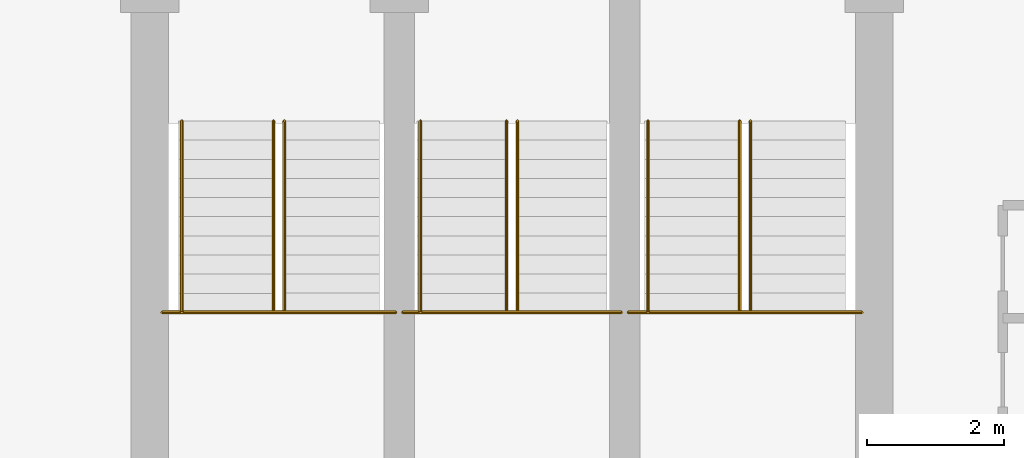
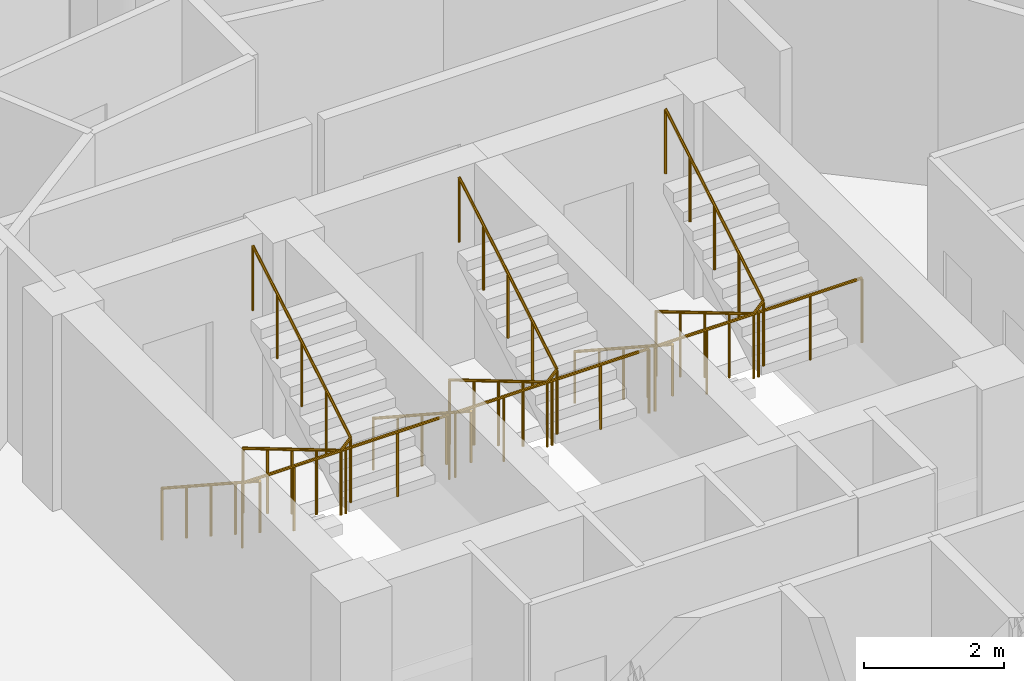
# One storey, part 27 of 27: 9 railings.
"""IFC4 building model written with IfcOpenShell, lengths in metres."""

from ifc_helpers import new_model, si_unit, direction, frame, origin, place, context, subcontext, project, spatial, polyline, outline, extrude, material, type_object, element, save


model = new_model("IFC4")

# Units and contexts
model_context = context("Model", 3, precision=1e-05, world=origin(), true_north=direction((0.0, 1.0)))
body_context = subcontext(model_context, "Body", "Model", "MODEL_VIEW")
ifc_project = project(units=[si_unit("LENGTHUNIT", "METRE"), si_unit("AREAUNIT", "SQUARE_METRE"), si_unit("VOLUMEUNIT", "CUBIC_METRE"), si_unit("PLANEANGLEUNIT", "RADIAN"), si_unit("MASSUNIT", "GRAM", prefix="KILO")], contexts=[model_context])

# Site, building, storey
site_placement = place(None, origin())
site = spatial("IfcSite", under=ifc_project, at=site_placement, CompositionType="ELEMENT")
building_placement = place(site_placement, origin())
building = spatial("IfcBuilding", under=site, at=building_placement, Name="Nuhasar Tower", CompositionType="ELEMENT")
storey_placement = place(building_placement, frame((0.0, 0.0, 233.699951171875)))
storey = spatial("IfcBuildingStorey", under=building, at=storey_placement, Name="L57", CompositionType="ELEMENT", Elevation=233.699951171875)

# Railings
ifc_material_1 = material(Name="Steel S355", Category="steel")
railing_type_1 = type_object("IfcRailingType", Name="RLG-STAIR-GUARD-1150", PredefinedType="GUARDRAIL", material=ifc_material_1)
railing_1_placement = place(storey_placement, frame((33.8798828125, 32.485107421875, 1.824951171875)))
element("IfcRailing", 1, at=railing_1_placement, inside=storey, type_object=railing_type_1, Name="L57 Stair ST-01 Guardrail LND", PredefinedType="GUARDRAIL", context=body_context, shape_type="SweptSolid", body=[
    extrude(outline(polyline([(0.024169921875, 0.0), (0.01708984375, 0.01708984375), (0.0, 0.024169921875), (-0.01708984375, 0.01708984375), (-0.024169921875, 0.0), (-0.01708984375, -0.01708984375), (0.0, -0.024169921875), (0.01708984375, -0.01708984375), (0.024169921875, 0.0)])), frame((0.0, 0.0, 1.1259765625), z_axis=(1.0, 0.0, 0.0), x_axis=(0.0, 1.0, 0.0)), (0.0, 0.0, 1.0), 3.420166015625),
    extrude(outline(polyline([(0.02099609375, 0.0), (0.014892578125, 0.014892578125), (0.0, 0.02099609375), (-0.014892578125, 0.014892578125), (-0.02099609375, 0.0), (-0.014892578125, -0.014892578125), (0.0, -0.02099609375), (0.014892578125, -0.014892578125), (0.02099609375, 0.0)])), origin(), (0.0, 0.0, 1.0), 1.101806640625),
    extrude(outline(polyline([(0.02099609375, 0.0), (0.014892578125, 0.014892578125), (0.0, 0.02099609375), (-0.014892578125, 0.014892578125), (-0.02099609375, 0.0), (-0.014892578125, -0.014892578125), (0.0, -0.02099609375), (0.014892578125, -0.014892578125), (0.02099609375, 0.0)])), frame((0.85498046875, 0.0, 0.0)), (0.0, 0.0, 1.0), 1.101806640625),
    extrude(outline(polyline([(0.02099609375, 0.0), (0.014892578125, 0.014892578125), (0.0, 0.02099609375), (-0.014892578125, 0.014892578125), (-0.02099609375, 0.0), (-0.014892578125, -0.014892578125), (0.0, -0.02099609375), (0.014892578125, -0.014892578125), (0.02099609375, 0.0)])), frame((1.7099609375, 0.0, 0.0)), (0.0, 0.0, 1.0), 1.101806640625),
    extrude(outline(polyline([(0.02099609375, 0.0), (0.014892578125, 0.014892578125), (0.0, 0.02099609375), (-0.014892578125, 0.014892578125), (-0.02099609375, 0.0), (-0.014892578125, -0.014892578125), (0.0, -0.02099609375), (0.014892578125, -0.014892578125), (0.02099609375, 0.0)])), frame((2.565185546875, 0.0, 0.0)), (0.0, 0.0, 1.0), 1.101806640625),
    extrude(outline(polyline([(0.02099609375, 0.0), (0.014892578125, 0.014892578125), (0.0, 0.02099609375), (-0.014892578125, 0.014892578125), (-0.02099609375, 0.0), (-0.014892578125, -0.014892578125), (0.0, -0.02099609375), (0.014892578125, -0.014892578125), (0.02099609375, 0.0)])), frame((3.420166015625, 0.0, 0.0)), (0.0, 0.0, 1.0), 1.101806640625),
])
railing_2_placement = place(storey_placement, frame((35.510009765625, 35.284912109375, 0.166015625)))
element("IfcRailing", 2, at=railing_2_placement, inside=storey, type_object=railing_type_1, Name="L57 Stair ST-01 Guardrail SLT", PredefinedType="GUARDRAIL", context=body_context, shape_type="SweptSolid", body=[
    extrude(outline(polyline([(0.024169921875, 0.0), (0.01708984375, 0.01708984375), (0.0, 0.024169921875), (-0.01708984375, 0.01708984375), (-0.024169921875, 0.0), (-0.01708984375, -0.01708984375), (0.0, -0.024169921875), (0.01708984375, -0.01708984375), (0.024169921875, 0.0)])), frame((0.0, 0.0, 1.1259765625), z_axis=(0.0, -0.860319559791, 0.509755093197), x_axis=(1.0, 0.0, 0.0)), (0.0, 0.0, 1.0), 3.25439453125),
    extrude(outline(polyline([(0.024169921875, 0.0), (0.01708984375, 0.01708984375), (0.0, 0.024169921875), (-0.01708984375, 0.01708984375), (-0.024169921875, 0.0), (-0.01708984375, -0.01708984375), (0.0, -0.024169921875), (0.01708984375, -0.01708984375), (0.024169921875, 0.0)])), frame((0.0, -2.7998046875, 2.78466796875), z_axis=(0.693743449033, 0.0, 0.72022220663), x_axis=(0.0, 1.0, 0.0)), (0.0, 0.0, 1.0), 0.23046875),
    extrude(outline(polyline([(0.024169921875, 0.0), (0.01708984375, 0.01708984375), (0.0, 0.024169921875), (-0.01708984375, 0.01708984375), (-0.024169921875, 0.0), (-0.01708984375, -0.01708984375), (0.0, -0.024169921875), (0.01708984375, -0.01708984375), (0.024169921875, 0.0)])), frame((0.159912109375, -2.7998046875, 2.95068359375), z_axis=(0.0, 0.860286659441, 0.509810615413), x_axis=(-1.0, 0.0, 0.0)), (0.0, 0.0, 1.0), 3.25439453125),
    extrude(outline(polyline([(0.02099609375, 0.0), (0.014892578125, 0.014892578125), (0.0, 0.02099609375), (-0.014892578125, 0.014892578125), (-0.02099609375, 0.0), (-0.014892578125, -0.014892578125), (0.0, -0.02099609375), (0.014892578125, -0.014892578125), (0.02099609375, 0.0)])), origin(), (0.0, 0.0, 1.0), 1.101806640625),
    extrude(outline(polyline([(0.02099609375, 0.0), (0.014892578125, 0.014892578125), (0.0, 0.02099609375), (-0.014892578125, 0.014892578125), (-0.02099609375, 0.0), (-0.014892578125, -0.014892578125), (0.0, -0.02099609375), (0.014892578125, -0.014892578125), (0.02099609375, 0.0)])), frame((0.0, -0.699951171875, 0.414794921875)), (0.0, 0.0, 1.0), 1.101806640625),
    extrude(outline(polyline([(0.02099609375, 0.0), (0.014892578125, 0.014892578125), (0.0, 0.02099609375), (-0.014892578125, 0.014892578125), (-0.02099609375, 0.0), (-0.014892578125, -0.014892578125), (0.0, -0.02099609375), (0.014892578125, -0.014892578125), (0.02099609375, 0.0)])), frame((0.0, -1.39990234375, 0.82958984375)), (0.0, 0.0, 1.0), 1.101806640625),
    extrude(outline(polyline([(0.02099609375, 0.0), (0.014892578125, 0.014892578125), (0.0, 0.02099609375), (-0.014892578125, 0.014892578125), (-0.02099609375, 0.0), (-0.014892578125, -0.014892578125), (0.0, -0.02099609375), (0.014892578125, -0.014892578125), (0.02099609375, 0.0)])), frame((0.0, -2.099853515625, 1.244140625)), (0.0, 0.0, 1.0), 1.101806640625),
    extrude(outline(polyline([(0.02099609375, 0.0), (0.014892578125, 0.014892578125), (0.0, 0.02099609375), (-0.014892578125, 0.014892578125), (-0.02099609375, 0.0), (-0.014892578125, -0.014892578125), (0.0, -0.02099609375), (0.014892578125, -0.014892578125), (0.02099609375, 0.0)])), frame((0.0, -2.7998046875, 1.658935546875)), (0.0, 0.0, 1.0), 1.101806640625),
    extrude(outline(polyline([(0.02099609375, 0.0), (0.014892578125, 0.014892578125), (0.0, 0.02099609375), (-0.014892578125, 0.014892578125), (-0.02099609375, 0.0), (-0.014892578125, -0.014892578125), (0.0, -0.02099609375), (0.014892578125, -0.014892578125), (0.02099609375, 0.0)])), frame((0.159912109375, -2.7998046875, 1.824951171875)), (0.0, 0.0, 1.0), 1.101806640625),
    extrude(outline(polyline([(0.02099609375, 0.0), (0.014892578125, 0.014892578125), (0.0, 0.02099609375), (-0.014892578125, 0.014892578125), (-0.02099609375, 0.0), (-0.014892578125, -0.014892578125), (0.0, -0.02099609375), (0.014892578125, -0.014892578125), (0.02099609375, 0.0)])), frame((0.159912109375, -2.099853515625, 2.23974609375)), (0.0, 0.0, 1.0), 1.101806640625),
    extrude(outline(polyline([(0.02099609375, 0.0), (0.014892578125, 0.014892578125), (0.0, 0.02099609375), (-0.014892578125, 0.014892578125), (-0.02099609375, 0.0), (-0.014892578125, -0.014892578125), (0.0, -0.02099609375), (0.014892578125, -0.014892578125), (0.02099609375, 0.0)])), frame((0.159912109375, -1.39990234375, 2.654541015625)), (0.0, 0.0, 1.0), 1.101806640625),
    extrude(outline(polyline([(0.02099609375, 0.0), (0.014892578125, 0.014892578125), (0.0, 0.02099609375), (-0.014892578125, 0.014892578125), (-0.02099609375, 0.0), (-0.014892578125, -0.014892578125), (0.0, -0.02099609375), (0.014892578125, -0.014892578125), (0.02099609375, 0.0)])), frame((0.159912109375, -0.699951171875, 3.0693359375)), (0.0, 0.0, 1.0), 1.101806640625),
    extrude(outline(polyline([(0.02099609375, 0.0), (0.014892578125, 0.014892578125), (0.0, 0.02099609375), (-0.014892578125, 0.014892578125), (-0.02099609375, 0.0), (-0.014892578125, -0.014892578125), (0.0, -0.02099609375), (0.014892578125, -0.014892578125), (0.02099609375, 0.0)])), frame((0.159912109375, 0.0, 3.484130859375)), (0.0, 0.0, 1.0), 1.101806640625),
])
railing_3_placement = place(storey_placement, frame((37.39990234375, 32.485107421875, 1.824951171875)))
element("IfcRailing", 3, at=railing_3_placement, inside=storey, type_object=railing_type_1, Name="L57 Stair ST-03 Guardrail LND", PredefinedType="GUARDRAIL", context=body_context, shape_type="SweptSolid", body=[
    extrude(outline(polyline([(0.024169921875, 0.0), (0.01708984375, 0.01708984375), (0.0, 0.024169921875), (-0.01708984375, 0.01708984375), (-0.024169921875, 0.0), (-0.01708984375, -0.01708984375), (0.0, -0.024169921875), (0.01708984375, -0.01708984375), (0.024169921875, 0.0)])), frame((0.0, 0.0, 1.1259765625), z_axis=(1.0, 0.0, 0.0), x_axis=(0.0, 1.0, 0.0)), (0.0, 0.0, 1.0), 3.2001953125),
    extrude(outline(polyline([(0.02099609375, 0.0), (0.014892578125, 0.014892578125), (0.0, 0.02099609375), (-0.014892578125, 0.014892578125), (-0.02099609375, 0.0), (-0.014892578125, -0.014892578125), (0.0, -0.02099609375), (0.014892578125, -0.014892578125), (0.02099609375, 0.0)])), origin(), (0.0, 0.0, 1.0), 1.101806640625),
    extrude(outline(polyline([(0.02099609375, 0.0), (0.014892578125, 0.014892578125), (0.0, 0.02099609375), (-0.014892578125, 0.014892578125), (-0.02099609375, 0.0), (-0.014892578125, -0.014892578125), (0.0, -0.02099609375), (0.014892578125, -0.014892578125), (0.02099609375, 0.0)])), frame((0.800048828125, 0.0, 0.0)), (0.0, 0.0, 1.0), 1.101806640625),
    extrude(outline(polyline([(0.02099609375, 0.0), (0.014892578125, 0.014892578125), (0.0, 0.02099609375), (-0.014892578125, 0.014892578125), (-0.02099609375, 0.0), (-0.014892578125, -0.014892578125), (0.0, -0.02099609375), (0.014892578125, -0.014892578125), (0.02099609375, 0.0)])), frame((1.60009765625, 0.0, 0.0)), (0.0, 0.0, 1.0), 1.101806640625),
    extrude(outline(polyline([(0.02099609375, 0.0), (0.014892578125, 0.014892578125), (0.0, 0.02099609375), (-0.014892578125, 0.014892578125), (-0.02099609375, 0.0), (-0.014892578125, -0.014892578125), (0.0, -0.02099609375), (0.014892578125, -0.014892578125), (0.02099609375, 0.0)])), frame((2.400146484375, 0.0, 0.0)), (0.0, 0.0, 1.0), 1.101806640625),
    extrude(outline(polyline([(0.02099609375, 0.0), (0.014892578125, 0.014892578125), (0.0, 0.02099609375), (-0.014892578125, 0.014892578125), (-0.02099609375, 0.0), (-0.014892578125, -0.014892578125), (0.0, -0.02099609375), (0.014892578125, -0.014892578125), (0.02099609375, 0.0)])), frame((3.2001953125, 0.0, 0.0)), (0.0, 0.0, 1.0), 1.101806640625),
])
railing_4_placement = place(storey_placement, frame((38.919921875, 35.284912109375, 0.166015625)))
element("IfcRailing", 4, at=railing_4_placement, inside=storey, type_object=railing_type_1, Name="L57 Stair ST-03 Guardrail SLT", PredefinedType="GUARDRAIL", context=body_context, shape_type="SweptSolid", body=[
    extrude(outline(polyline([(0.024169921875, 0.0), (0.01708984375, 0.01708984375), (0.0, 0.024169921875), (-0.01708984375, 0.01708984375), (-0.024169921875, 0.0), (-0.01708984375, -0.01708984375), (0.0, -0.024169921875), (0.01708984375, -0.01708984375), (0.024169921875, 0.0)])), frame((0.0, 0.0, 1.1259765625), z_axis=(0.0, -0.860319559791, 0.509755093197), x_axis=(1.0, 0.0, 0.0)), (0.0, 0.0, 1.0), 3.25439453125),
    extrude(outline(polyline([(0.024169921875, 0.0), (0.01708984375, 0.01708984375), (0.0, 0.024169921875), (-0.01708984375, 0.01708984375), (-0.024169921875, 0.0), (-0.01708984375, -0.01708984375), (0.0, -0.024169921875), (0.01708984375, -0.01708984375), (0.024169921875, 0.0)])), frame((0.0, -2.7998046875, 2.78466796875), z_axis=(0.694292246407, 0.0, 0.719693182251), x_axis=(0.0, 1.0, 0.0)), (0.0, 0.0, 1.0), 0.230712890625),
    extrude(outline(polyline([(0.024169921875, 0.0), (0.01708984375, 0.01708984375), (0.0, 0.024169921875), (-0.01708984375, 0.01708984375), (-0.024169921875, 0.0), (-0.01708984375, -0.01708984375), (0.0, -0.024169921875), (0.01708984375, -0.01708984375), (0.024169921875, 0.0)])), frame((0.16015625, -2.7998046875, 2.95068359375), z_axis=(0.0, 0.860286659441, 0.509810615413), x_axis=(-1.0, 0.0, 0.0)), (0.0, 0.0, 1.0), 3.25439453125),
    extrude(outline(polyline([(0.02099609375, 0.0), (0.014892578125, 0.014892578125), (0.0, 0.02099609375), (-0.014892578125, 0.014892578125), (-0.02099609375, 0.0), (-0.014892578125, -0.014892578125), (0.0, -0.02099609375), (0.014892578125, -0.014892578125), (0.02099609375, 0.0)])), origin(), (0.0, 0.0, 1.0), 1.101806640625),
    extrude(outline(polyline([(0.02099609375, 0.0), (0.014892578125, 0.014892578125), (0.0, 0.02099609375), (-0.014892578125, 0.014892578125), (-0.02099609375, 0.0), (-0.014892578125, -0.014892578125), (0.0, -0.02099609375), (0.014892578125, -0.014892578125), (0.02099609375, 0.0)])), frame((0.0, -0.699951171875, 0.414794921875)), (0.0, 0.0, 1.0), 1.101806640625),
    extrude(outline(polyline([(0.02099609375, 0.0), (0.014892578125, 0.014892578125), (0.0, 0.02099609375), (-0.014892578125, 0.014892578125), (-0.02099609375, 0.0), (-0.014892578125, -0.014892578125), (0.0, -0.02099609375), (0.014892578125, -0.014892578125), (0.02099609375, 0.0)])), frame((0.0, -1.39990234375, 0.82958984375)), (0.0, 0.0, 1.0), 1.101806640625),
    extrude(outline(polyline([(0.02099609375, 0.0), (0.014892578125, 0.014892578125), (0.0, 0.02099609375), (-0.014892578125, 0.014892578125), (-0.02099609375, 0.0), (-0.014892578125, -0.014892578125), (0.0, -0.02099609375), (0.014892578125, -0.014892578125), (0.02099609375, 0.0)])), frame((0.0, -2.099853515625, 1.244140625)), (0.0, 0.0, 1.0), 1.101806640625),
    extrude(outline(polyline([(0.02099609375, 0.0), (0.014892578125, 0.014892578125), (0.0, 0.02099609375), (-0.014892578125, 0.014892578125), (-0.02099609375, 0.0), (-0.014892578125, -0.014892578125), (0.0, -0.02099609375), (0.014892578125, -0.014892578125), (0.02099609375, 0.0)])), frame((0.0, -2.7998046875, 1.658935546875)), (0.0, 0.0, 1.0), 1.101806640625),
    extrude(outline(polyline([(0.02099609375, 0.0), (0.014892578125, 0.014892578125), (0.0, 0.02099609375), (-0.014892578125, 0.014892578125), (-0.02099609375, 0.0), (-0.014892578125, -0.014892578125), (0.0, -0.02099609375), (0.014892578125, -0.014892578125), (0.02099609375, 0.0)])), frame((0.16015625, -2.7998046875, 1.824951171875)), (0.0, 0.0, 1.0), 1.101806640625),
    extrude(outline(polyline([(0.02099609375, 0.0), (0.014892578125, 0.014892578125), (0.0, 0.02099609375), (-0.014892578125, 0.014892578125), (-0.02099609375, 0.0), (-0.014892578125, -0.014892578125), (0.0, -0.02099609375), (0.014892578125, -0.014892578125), (0.02099609375, 0.0)])), frame((0.16015625, -2.099853515625, 2.23974609375)), (0.0, 0.0, 1.0), 1.101806640625),
    extrude(outline(polyline([(0.02099609375, 0.0), (0.014892578125, 0.014892578125), (0.0, 0.02099609375), (-0.014892578125, 0.014892578125), (-0.02099609375, 0.0), (-0.014892578125, -0.014892578125), (0.0, -0.02099609375), (0.014892578125, -0.014892578125), (0.02099609375, 0.0)])), frame((0.16015625, -1.39990234375, 2.654541015625)), (0.0, 0.0, 1.0), 1.101806640625),
    extrude(outline(polyline([(0.02099609375, 0.0), (0.014892578125, 0.014892578125), (0.0, 0.02099609375), (-0.014892578125, 0.014892578125), (-0.02099609375, 0.0), (-0.014892578125, -0.014892578125), (0.0, -0.02099609375), (0.014892578125, -0.014892578125), (0.02099609375, 0.0)])), frame((0.16015625, -0.699951171875, 3.0693359375)), (0.0, 0.0, 1.0), 1.101806640625),
    extrude(outline(polyline([(0.02099609375, 0.0), (0.014892578125, 0.014892578125), (0.0, 0.02099609375), (-0.014892578125, 0.014892578125), (-0.02099609375, 0.0), (-0.014892578125, -0.014892578125), (0.0, -0.02099609375), (0.014892578125, -0.014892578125), (0.02099609375, 0.0)])), frame((0.16015625, 0.0, 3.484130859375)), (0.0, 0.0, 1.0), 1.101806640625),
])
railing_5_placement = place(storey_placement, frame((40.699951171875, 32.485107421875, 1.824951171875)))
element("IfcRailing", 5, at=railing_5_placement, inside=storey, type_object=railing_type_1, Name="L57 Stair ST-02 Guardrail LND", PredefinedType="GUARDRAIL", context=body_context, shape_type="SweptSolid", body=[
    extrude(outline(polyline([(0.024169921875, 0.0), (0.01708984375, 0.01708984375), (0.0, 0.024169921875), (-0.01708984375, 0.01708984375), (-0.024169921875, 0.0), (-0.01708984375, -0.01708984375), (0.0, -0.024169921875), (0.01708984375, -0.01708984375), (0.024169921875, 0.0)])), frame((0.0, 0.0, 1.1259765625), z_axis=(1.0, 0.0, 0.0), x_axis=(0.0, 1.0, 0.0)), (0.0, 0.0, 1.0), 3.420166015625),
    extrude(outline(polyline([(0.02099609375, 0.0), (0.014892578125, 0.014892578125), (0.0, 0.02099609375), (-0.014892578125, 0.014892578125), (-0.02099609375, 0.0), (-0.014892578125, -0.014892578125), (0.0, -0.02099609375), (0.014892578125, -0.014892578125), (0.02099609375, 0.0)])), origin(), (0.0, 0.0, 1.0), 1.101806640625),
    extrude(outline(polyline([(0.02099609375, 0.0), (0.014892578125, 0.014892578125), (0.0, 0.02099609375), (-0.014892578125, 0.014892578125), (-0.02099609375, 0.0), (-0.014892578125, -0.014892578125), (0.0, -0.02099609375), (0.014892578125, -0.014892578125), (0.02099609375, 0.0)])), frame((0.85498046875, 0.0, 0.0)), (0.0, 0.0, 1.0), 1.101806640625),
    extrude(outline(polyline([(0.02099609375, 0.0), (0.014892578125, 0.014892578125), (0.0, 0.02099609375), (-0.014892578125, 0.014892578125), (-0.02099609375, 0.0), (-0.014892578125, -0.014892578125), (0.0, -0.02099609375), (0.014892578125, -0.014892578125), (0.02099609375, 0.0)])), frame((1.7099609375, 0.0, 0.0)), (0.0, 0.0, 1.0), 1.101806640625),
    extrude(outline(polyline([(0.02099609375, 0.0), (0.014892578125, 0.014892578125), (0.0, 0.02099609375), (-0.014892578125, 0.014892578125), (-0.02099609375, 0.0), (-0.014892578125, -0.014892578125), (0.0, -0.02099609375), (0.014892578125, -0.014892578125), (0.02099609375, 0.0)])), frame((2.565185546875, 0.0, 0.0)), (0.0, 0.0, 1.0), 1.101806640625),
    extrude(outline(polyline([(0.02099609375, 0.0), (0.014892578125, 0.014892578125), (0.0, 0.02099609375), (-0.014892578125, 0.014892578125), (-0.02099609375, 0.0), (-0.014892578125, -0.014892578125), (0.0, -0.02099609375), (0.014892578125, -0.014892578125), (0.02099609375, 0.0)])), frame((3.420166015625, 0.0, 0.0)), (0.0, 0.0, 1.0), 1.101806640625),
])
railing_6_placement = place(storey_placement, frame((42.330078125, 35.284912109375, 0.166015625)))
element("IfcRailing", 6, at=railing_6_placement, inside=storey, type_object=railing_type_1, Name="L57 Stair ST-02 Guardrail SLT", PredefinedType="GUARDRAIL", context=body_context, shape_type="SweptSolid", body=[
    extrude(outline(polyline([(0.024169921875, 0.0), (0.01708984375, 0.01708984375), (0.0, 0.024169921875), (-0.01708984375, 0.01708984375), (-0.024169921875, 0.0), (-0.01708984375, -0.01708984375), (0.0, -0.024169921875), (0.01708984375, -0.01708984375), (0.024169921875, 0.0)])), frame((0.0, 0.0, 1.1259765625), z_axis=(0.0, -0.860319559791, 0.509755093197), x_axis=(1.0, 0.0, 0.0)), (0.0, 0.0, 1.0), 3.25439453125),
    extrude(outline(polyline([(0.024169921875, 0.0), (0.01708984375, 0.01708984375), (0.0, 0.024169921875), (-0.01708984375, 0.01708984375), (-0.024169921875, 0.0), (-0.01708984375, -0.01708984375), (0.0, -0.024169921875), (0.01708984375, -0.01708984375), (0.024169921875, 0.0)])), frame((0.0, -2.7998046875, 2.78466796875), z_axis=(0.693743449033, 0.0, 0.72022220663), x_axis=(0.0, 1.0, 0.0)), (0.0, 0.0, 1.0), 0.23046875),
    extrude(outline(polyline([(0.024169921875, 0.0), (0.01708984375, 0.01708984375), (0.0, 0.024169921875), (-0.01708984375, 0.01708984375), (-0.024169921875, 0.0), (-0.01708984375, -0.01708984375), (0.0, -0.024169921875), (0.01708984375, -0.01708984375), (0.024169921875, 0.0)])), frame((0.159912109375, -2.7998046875, 2.95068359375), z_axis=(0.0, 0.860286659441, 0.509810615413), x_axis=(-1.0, 0.0, 0.0)), (0.0, 0.0, 1.0), 3.25439453125),
    extrude(outline(polyline([(0.02099609375, 0.0), (0.014892578125, 0.014892578125), (0.0, 0.02099609375), (-0.014892578125, 0.014892578125), (-0.02099609375, 0.0), (-0.014892578125, -0.014892578125), (0.0, -0.02099609375), (0.014892578125, -0.014892578125), (0.02099609375, 0.0)])), origin(), (0.0, 0.0, 1.0), 1.101806640625),
    extrude(outline(polyline([(0.02099609375, 0.0), (0.014892578125, 0.014892578125), (0.0, 0.02099609375), (-0.014892578125, 0.014892578125), (-0.02099609375, 0.0), (-0.014892578125, -0.014892578125), (0.0, -0.02099609375), (0.014892578125, -0.014892578125), (0.02099609375, 0.0)])), frame((0.0, -0.699951171875, 0.414794921875)), (0.0, 0.0, 1.0), 1.101806640625),
    extrude(outline(polyline([(0.02099609375, 0.0), (0.014892578125, 0.014892578125), (0.0, 0.02099609375), (-0.014892578125, 0.014892578125), (-0.02099609375, 0.0), (-0.014892578125, -0.014892578125), (0.0, -0.02099609375), (0.014892578125, -0.014892578125), (0.02099609375, 0.0)])), frame((0.0, -1.39990234375, 0.82958984375)), (0.0, 0.0, 1.0), 1.101806640625),
    extrude(outline(polyline([(0.02099609375, 0.0), (0.014892578125, 0.014892578125), (0.0, 0.02099609375), (-0.014892578125, 0.014892578125), (-0.02099609375, 0.0), (-0.014892578125, -0.014892578125), (0.0, -0.02099609375), (0.014892578125, -0.014892578125), (0.02099609375, 0.0)])), frame((0.0, -2.099853515625, 1.244140625)), (0.0, 0.0, 1.0), 1.101806640625),
    extrude(outline(polyline([(0.02099609375, 0.0), (0.014892578125, 0.014892578125), (0.0, 0.02099609375), (-0.014892578125, 0.014892578125), (-0.02099609375, 0.0), (-0.014892578125, -0.014892578125), (0.0, -0.02099609375), (0.014892578125, -0.014892578125), (0.02099609375, 0.0)])), frame((0.0, -2.7998046875, 1.658935546875)), (0.0, 0.0, 1.0), 1.101806640625),
    extrude(outline(polyline([(0.02099609375, 0.0), (0.014892578125, 0.014892578125), (0.0, 0.02099609375), (-0.014892578125, 0.014892578125), (-0.02099609375, 0.0), (-0.014892578125, -0.014892578125), (0.0, -0.02099609375), (0.014892578125, -0.014892578125), (0.02099609375, 0.0)])), frame((0.159912109375, -2.7998046875, 1.824951171875)), (0.0, 0.0, 1.0), 1.101806640625),
    extrude(outline(polyline([(0.02099609375, 0.0), (0.014892578125, 0.014892578125), (0.0, 0.02099609375), (-0.014892578125, 0.014892578125), (-0.02099609375, 0.0), (-0.014892578125, -0.014892578125), (0.0, -0.02099609375), (0.014892578125, -0.014892578125), (0.02099609375, 0.0)])), frame((0.159912109375, -2.099853515625, 2.23974609375)), (0.0, 0.0, 1.0), 1.101806640625),
    extrude(outline(polyline([(0.02099609375, 0.0), (0.014892578125, 0.014892578125), (0.0, 0.02099609375), (-0.014892578125, 0.014892578125), (-0.02099609375, 0.0), (-0.014892578125, -0.014892578125), (0.0, -0.02099609375), (0.014892578125, -0.014892578125), (0.02099609375, 0.0)])), frame((0.159912109375, -1.39990234375, 2.654541015625)), (0.0, 0.0, 1.0), 1.101806640625),
    extrude(outline(polyline([(0.02099609375, 0.0), (0.014892578125, 0.014892578125), (0.0, 0.02099609375), (-0.014892578125, 0.014892578125), (-0.02099609375, 0.0), (-0.014892578125, -0.014892578125), (0.0, -0.02099609375), (0.014892578125, -0.014892578125), (0.02099609375, 0.0)])), frame((0.159912109375, -0.699951171875, 3.0693359375)), (0.0, 0.0, 1.0), 1.101806640625),
    extrude(outline(polyline([(0.02099609375, 0.0), (0.014892578125, 0.014892578125), (0.0, 0.02099609375), (-0.014892578125, 0.014892578125), (-0.02099609375, 0.0), (-0.014892578125, -0.014892578125), (0.0, -0.02099609375), (0.014892578125, -0.014892578125), (0.02099609375, 0.0)])), frame((0.159912109375, 0.0, 3.484130859375)), (0.0, 0.0, 1.0), 1.101806640625),
])
ifc_material_2 = material(Name="Stainless Steel 316L", Category="steel")
railing_type_2 = type_object("IfcRailingType", Name="RLG-STAIR-HAND-920", PredefinedType="HANDRAIL", material=ifc_material_2)
railing_7_placement = place(storey_placement, frame((34.169921875, 35.284912109375, 0.166015625)))
element("IfcRailing", 7, at=railing_7_placement, inside=storey, type_object=railing_type_2, Name="L57 Stair ST-01 Handrail HND1", PredefinedType="HANDRAIL", context=body_context, shape_type="SweptSolid", body=[
    extrude(outline(polyline([(0.024169921875, 0.0), (0.01708984375, 0.01708984375), (0.0, 0.024169921875), (-0.01708984375, 0.01708984375), (-0.024169921875, 0.0), (-0.01708984375, -0.01708984375), (0.0, -0.024169921875), (0.01708984375, -0.01708984375), (0.024169921875, 0.0)])), frame((0.0, 0.0, 0.89599609375), z_axis=(0.0, -0.837748630625, 0.546056070276), x_axis=(1.0, 0.0, 0.0)), (0.0, 0.0, 1.0), 3.342041015625),
    extrude(outline(polyline([(0.02099609375, 0.0), (0.014892578125, 0.014892578125), (0.0, 0.02099609375), (-0.014892578125, 0.014892578125), (-0.02099609375, 0.0), (-0.014892578125, -0.014892578125), (0.0, -0.02099609375), (0.014892578125, -0.014892578125), (0.02099609375, 0.0)])), origin(), (0.0, 0.0, 1.0), 0.871826171875),
    extrude(outline(polyline([(0.02099609375, 0.0), (0.014892578125, 0.014892578125), (0.0, 0.02099609375), (-0.014892578125, 0.014892578125), (-0.02099609375, 0.0), (-0.014892578125, -0.014892578125), (0.0, -0.02099609375), (0.014892578125, -0.014892578125), (0.02099609375, 0.0)])), frame((0.0, -0.699951171875, 0.456298828125)), (0.0, 0.0, 1.0), 0.871826171875),
    extrude(outline(polyline([(0.02099609375, 0.0), (0.014892578125, 0.014892578125), (0.0, 0.02099609375), (-0.014892578125, 0.014892578125), (-0.02099609375, 0.0), (-0.014892578125, -0.014892578125), (0.0, -0.02099609375), (0.014892578125, -0.014892578125), (0.02099609375, 0.0)])), frame((0.0, -1.39990234375, 0.91259765625)), (0.0, 0.0, 1.0), 0.871826171875),
    extrude(outline(polyline([(0.02099609375, 0.0), (0.014892578125, 0.014892578125), (0.0, 0.02099609375), (-0.014892578125, 0.014892578125), (-0.02099609375, 0.0), (-0.014892578125, -0.014892578125), (0.0, -0.02099609375), (0.014892578125, -0.014892578125), (0.02099609375, 0.0)])), frame((0.0, -2.099853515625, 1.36865234375)), (0.0, 0.0, 1.0), 0.871826171875),
    extrude(outline(polyline([(0.02099609375, 0.0), (0.014892578125, 0.014892578125), (0.0, 0.02099609375), (-0.014892578125, 0.014892578125), (-0.02099609375, 0.0), (-0.014892578125, -0.014892578125), (0.0, -0.02099609375), (0.014892578125, -0.014892578125), (0.02099609375, 0.0)])), frame((0.0, -2.7998046875, 1.824951171875)), (0.0, 0.0, 1.0), 0.871826171875),
])
railing_8_placement = place(storey_placement, frame((37.659912109375, 35.284912109375, 0.166015625)))
element("IfcRailing", 8, at=railing_8_placement, inside=storey, type_object=railing_type_2, Name="L57 Stair ST-03 Handrail HND1", PredefinedType="HANDRAIL", context=body_context, shape_type="SweptSolid", body=[
    extrude(outline(polyline([(0.024169921875, 0.0), (0.01708984375, 0.01708984375), (0.0, 0.024169921875), (-0.01708984375, 0.01708984375), (-0.024169921875, 0.0), (-0.01708984375, -0.01708984375), (0.0, -0.024169921875), (0.01708984375, -0.01708984375), (0.024169921875, 0.0)])), frame((0.0, 0.0, 0.89599609375), z_axis=(0.0, -0.837748630625, 0.546056070276), x_axis=(1.0, 0.0, 0.0)), (0.0, 0.0, 1.0), 3.342041015625),
    extrude(outline(polyline([(0.02099609375, 0.0), (0.014892578125, 0.014892578125), (0.0, 0.02099609375), (-0.014892578125, 0.014892578125), (-0.02099609375, 0.0), (-0.014892578125, -0.014892578125), (0.0, -0.02099609375), (0.014892578125, -0.014892578125), (0.02099609375, 0.0)])), origin(), (0.0, 0.0, 1.0), 0.871826171875),
    extrude(outline(polyline([(0.02099609375, 0.0), (0.014892578125, 0.014892578125), (0.0, 0.02099609375), (-0.014892578125, 0.014892578125), (-0.02099609375, 0.0), (-0.014892578125, -0.014892578125), (0.0, -0.02099609375), (0.014892578125, -0.014892578125), (0.02099609375, 0.0)])), frame((0.0, -0.699951171875, 0.456298828125)), (0.0, 0.0, 1.0), 0.871826171875),
    extrude(outline(polyline([(0.02099609375, 0.0), (0.014892578125, 0.014892578125), (0.0, 0.02099609375), (-0.014892578125, 0.014892578125), (-0.02099609375, 0.0), (-0.014892578125, -0.014892578125), (0.0, -0.02099609375), (0.014892578125, -0.014892578125), (0.02099609375, 0.0)])), frame((0.0, -1.39990234375, 0.91259765625)), (0.0, 0.0, 1.0), 0.871826171875),
    extrude(outline(polyline([(0.02099609375, 0.0), (0.014892578125, 0.014892578125), (0.0, 0.02099609375), (-0.014892578125, 0.014892578125), (-0.02099609375, 0.0), (-0.014892578125, -0.014892578125), (0.0, -0.02099609375), (0.014892578125, -0.014892578125), (0.02099609375, 0.0)])), frame((0.0, -2.099853515625, 1.36865234375)), (0.0, 0.0, 1.0), 0.871826171875),
    extrude(outline(polyline([(0.02099609375, 0.0), (0.014892578125, 0.014892578125), (0.0, 0.02099609375), (-0.014892578125, 0.014892578125), (-0.02099609375, 0.0), (-0.014892578125, -0.014892578125), (0.0, -0.02099609375), (0.014892578125, -0.014892578125), (0.02099609375, 0.0)])), frame((0.0, -2.7998046875, 1.824951171875)), (0.0, 0.0, 1.0), 0.871826171875),
])
railing_9_placement = place(storey_placement, frame((40.989990234375, 35.284912109375, 0.166015625)))
element("IfcRailing", 9, at=railing_9_placement, inside=storey, type_object=railing_type_2, Name="L57 Stair ST-02 Handrail HND1", PredefinedType="HANDRAIL", context=body_context, shape_type="SweptSolid", body=[
    extrude(outline(polyline([(0.024169921875, 0.0), (0.01708984375, 0.01708984375), (0.0, 0.024169921875), (-0.01708984375, 0.01708984375), (-0.024169921875, 0.0), (-0.01708984375, -0.01708984375), (0.0, -0.024169921875), (0.01708984375, -0.01708984375), (0.024169921875, 0.0)])), frame((0.0, 0.0, 0.89599609375), z_axis=(0.0, -0.837748630625, 0.546056070276), x_axis=(1.0, 0.0, 0.0)), (0.0, 0.0, 1.0), 3.342041015625),
    extrude(outline(polyline([(0.02099609375, 0.0), (0.014892578125, 0.014892578125), (0.0, 0.02099609375), (-0.014892578125, 0.014892578125), (-0.02099609375, 0.0), (-0.014892578125, -0.014892578125), (0.0, -0.02099609375), (0.014892578125, -0.014892578125), (0.02099609375, 0.0)])), origin(), (0.0, 0.0, 1.0), 0.871826171875),
    extrude(outline(polyline([(0.02099609375, 0.0), (0.014892578125, 0.014892578125), (0.0, 0.02099609375), (-0.014892578125, 0.014892578125), (-0.02099609375, 0.0), (-0.014892578125, -0.014892578125), (0.0, -0.02099609375), (0.014892578125, -0.014892578125), (0.02099609375, 0.0)])), frame((0.0, -0.699951171875, 0.456298828125)), (0.0, 0.0, 1.0), 0.871826171875),
    extrude(outline(polyline([(0.02099609375, 0.0), (0.014892578125, 0.014892578125), (0.0, 0.02099609375), (-0.014892578125, 0.014892578125), (-0.02099609375, 0.0), (-0.014892578125, -0.014892578125), (0.0, -0.02099609375), (0.014892578125, -0.014892578125), (0.02099609375, 0.0)])), frame((0.0, -1.39990234375, 0.91259765625)), (0.0, 0.0, 1.0), 0.871826171875),
    extrude(outline(polyline([(0.02099609375, 0.0), (0.014892578125, 0.014892578125), (0.0, 0.02099609375), (-0.014892578125, 0.014892578125), (-0.02099609375, 0.0), (-0.014892578125, -0.014892578125), (0.0, -0.02099609375), (0.014892578125, -0.014892578125), (0.02099609375, 0.0)])), frame((0.0, -2.099853515625, 1.36865234375)), (0.0, 0.0, 1.0), 0.871826171875),
    extrude(outline(polyline([(0.02099609375, 0.0), (0.014892578125, 0.014892578125), (0.0, 0.02099609375), (-0.014892578125, 0.014892578125), (-0.02099609375, 0.0), (-0.014892578125, -0.014892578125), (0.0, -0.02099609375), (0.014892578125, -0.014892578125), (0.02099609375, 0.0)])), frame((0.0, -2.7998046875, 1.824951171875)), (0.0, 0.0, 1.0), 0.871826171875),
])

save(model, "model.ifc")
